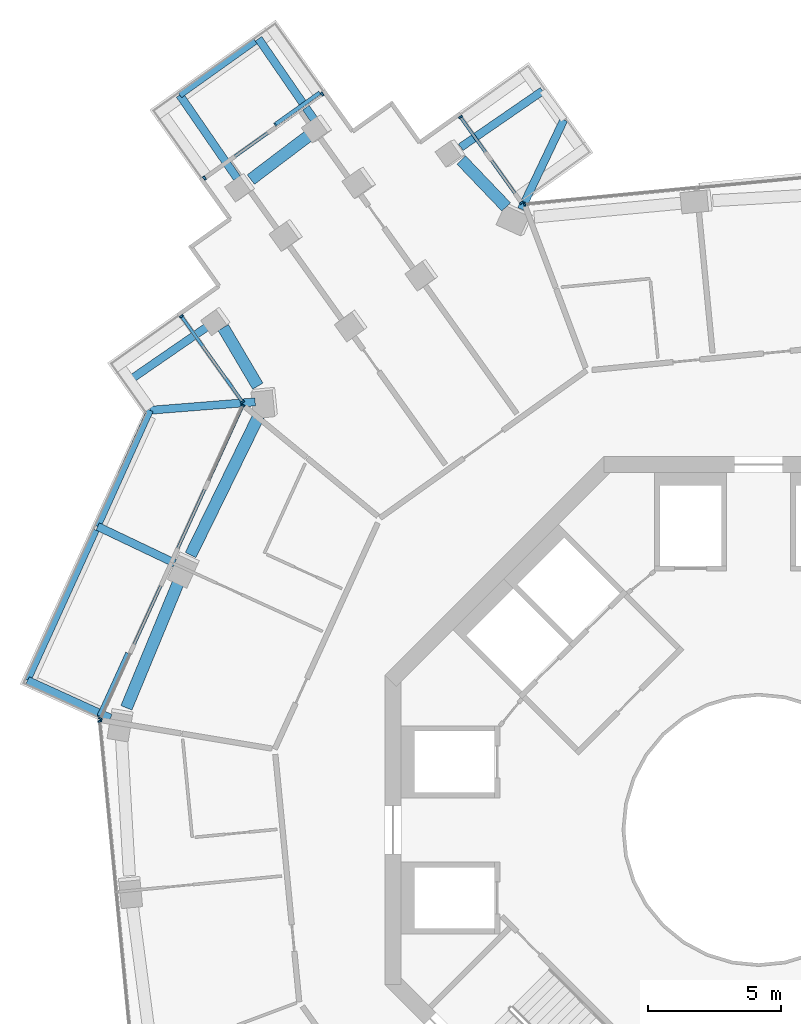
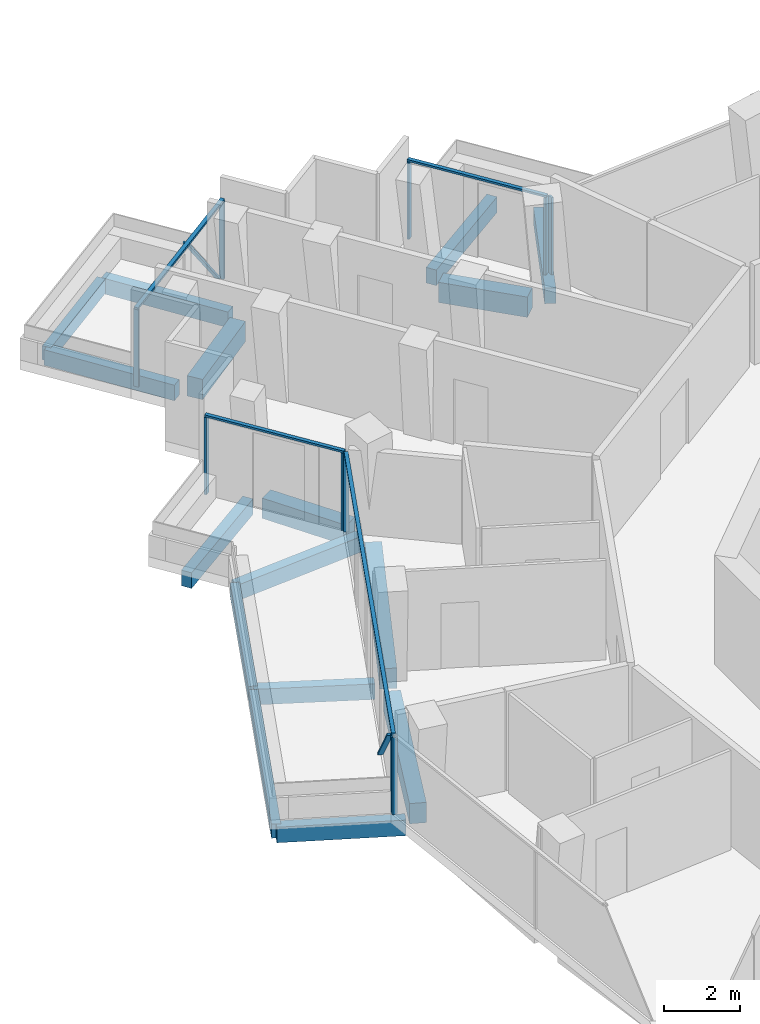
# One storey, part 6 of 22: 16 beams, 16 members, 6 elements without a shape of their own.
"""IFC4 building model written with IfcOpenShell, lengths in metres."""

from ifc_helpers import new_model, si_unit, direction, frame, origin, origin_2d, place, context, subcontext, project, spatial, rectangle, extrude, material, layer, layer_set, material_profile, profile_set, type_object, element, aggregate, save


model = new_model("IFC4")

# Units and contexts
model_context = context("Model", 3, precision=1e-05, world=origin(), true_north=direction((0.0, 1.0)))
body_context = subcontext(model_context, "Body", "Model", "MODEL_VIEW")
ifc_project = project(units=[si_unit("LENGTHUNIT", "METRE"), si_unit("AREAUNIT", "SQUARE_METRE"), si_unit("VOLUMEUNIT", "CUBIC_METRE"), si_unit("PLANEANGLEUNIT", "RADIAN"), si_unit("MASSUNIT", "GRAM", prefix="KILO")], contexts=[model_context])

# Site, building, storey
site_placement = place(None, origin())
site = spatial("IfcSite", under=ifc_project, at=site_placement, CompositionType="ELEMENT")
building_placement = place(site_placement, origin())
building = spatial("IfcBuilding", under=site, at=building_placement, Name="Verdalira Terraces Hotel", CompositionType="ELEMENT")
storey_placement = place(building_placement, frame((0.0, 0.0, 180.0)))
storey = spatial("IfcBuildingStorey", under=building, at=storey_placement, Name="L43", CompositionType="ELEMENT", Elevation=180.0)

# Beams
ifc_material_1 = material(Name="Concrete C40", Category="concrete")
ifc_material_profile_1 = material_profile(ifc_material_1, rectangle(XDim=0.300049, YDim=0.5, at=origin_2d()), Name="RC 300X500")
ifc_profile_set_1 = profile_set([ifc_material_profile_1], Name="Concrete C40")
beam_type_1 = type_object("IfcBeamType", Name="Balcony cantilever beam RC 300X500 C40", PredefinedType="BEAM", material=ifc_profile_set_1)
beam_1_placement = place(storey_placement, frame((-8.894775, 23.260498, -0.560059), z_axis=(0.429556324, 0.903040068, 0.0), x_axis=(-0.903040068, 0.429556324, 0.0)))
element("IfcBeam", 1, at=beam_1_placement, inside=storey, type_object=beam_type_1, Name="Balcony cantilever beam R00-1", PredefinedType="BEAM", context=body_context, shape_type="SweptSolid", body=[
    extrude(rectangle(XDim=0.300049, YDim=0.5, at=origin_2d()), origin(), (0.0, 0.0, 1.0), 3.718262),
])
beam_2_placement = place(storey_placement, frame((-11.164307, 25.585693, -0.560059), z_axis=(0.823498068, 0.567319074, 0.0), x_axis=(-0.567319074, 0.823498068, 0.0)))
element("IfcBeam", 2, at=beam_2_placement, inside=storey, type_object=beam_type_1, Name="Balcony cantilever beam R00-2", PredefinedType="BEAM", context=body_context, shape_type="SweptSolid", body=[
    extrude(rectangle(XDim=0.300049, YDim=0.5, at=origin_2d()), origin(), (0.0, 0.0, 1.0), 3.722412),
])
beam_3_placement = place(storey_placement, frame((-16.655518, 26.616943, -0.560059), z_axis=(-0.567268284, 0.823533056, 0.0), x_axis=(-0.823533056, -0.567268284, 0.0)))
element("IfcBeam", 3, at=beam_3_placement, inside=storey, type_object=beam_type_1, Name="Balcony cantilever beam R05-1", PredefinedType="BEAM", context=body_context, shape_type="SweptSolid", body=[
    extrude(rectangle(XDim=0.300049, YDim=0.5, at=origin_2d()), origin(), (0.0, 0.0, 1.0), 3.684082),
])
beam_4_placement = place(storey_placement, frame((-19.54834, 24.421387, -0.560059), z_axis=(-0.567255731, 0.823541703, 0.0), x_axis=(-0.823541703, -0.567255731, 0.0)))
element("IfcBeam", 4, at=beam_4_placement, inside=storey, type_object=beam_type_1, Name="Balcony cantilever beam R05-2", PredefinedType="BEAM", context=body_context, shape_type="SweptSolid", body=[
    extrude(rectangle(XDim=0.300049, YDim=0.5, at=origin_2d()), origin(), (0.0, 0.0, 1.0), 3.790527),
])
beam_5_placement = place(storey_placement, frame((-18.869629, 16.041748, -0.560059), z_axis=(-0.996831177, -0.079546238, 0.0), x_axis=(0.079546238, -0.996831177, 0.0)))
element("IfcBeam", 5, at=beam_5_placement, inside=storey, type_object=beam_type_1, Name="Balcony cantilever beam R10-1", PredefinedType="BEAM", context=body_context, shape_type="SweptSolid", body=[
    extrude(rectangle(XDim=0.300049, YDim=0.5, at=origin_2d()), origin(), (0.0, 0.0, 1.0), 3.949951),
])
beam_6_placement = place(storey_placement, frame((-21.882324, 9.997559, -0.560059), z_axis=(-0.903026819, 0.429584175, 0.0), x_axis=(-0.429584175, -0.903026819, 0.0)))
element("IfcBeam", 6, at=beam_6_placement, inside=storey, type_object=beam_type_1, Name="Balcony cantilever beam R10-2", PredefinedType="BEAM", context=body_context, shape_type="SweptSolid", body=[
    extrude(rectangle(XDim=0.300049, YDim=0.5, at=origin_2d()), origin(), (0.0, 0.0, 1.0), 3.200684),
])
beam_7_placement = place(storey_placement, frame((-24.294434, 4.19043, -0.560059), z_axis=(-0.910108957, 0.414369023, 0.0), x_axis=(-0.414369023, -0.910108957, 0.0)))
element("IfcBeam", 7, at=beam_7_placement, inside=storey, type_object=beam_type_1, Name="Balcony cantilever beam R10-3", PredefinedType="BEAM", context=body_context, shape_type="SweptSolid", body=[
    extrude(rectangle(XDim=0.300049, YDim=0.5, at=origin_2d()), origin(), (0.0, 0.0, 1.0), 3.411377),
])
beam_8_placement = place(storey_placement, frame((-20.56543, 18.927979, -0.560059), z_axis=(-0.823541313, -0.567256296, 0.0), x_axis=(0.567256296, -0.823541313, 0.0)))
element("IfcBeam", 8, at=beam_8_placement, inside=storey, type_object=beam_type_1, Name="Balcony cantilever beam R10-4", PredefinedType="BEAM", context=body_context, shape_type="SweptSolid", body=[
    extrude(rectangle(XDim=0.300049, YDim=0.5, at=origin_2d()), origin(), (0.0, 0.0, 1.0), 3.759033),
])
ifc_material_2 = material(Name="Concrete C40", Category="concrete")
ifc_material_profile_2 = material_profile(ifc_material_2, rectangle(XDim=0.25, YDim=0.449951, at=origin_2d()), Name="RC 250X450")
ifc_profile_set_2 = profile_set([ifc_material_profile_2], Name="Concrete C40")
beam_type_2 = type_object("IfcBeamType", Name="Balcony edge beam RC 250X450 C40", PredefinedType="BEAM", material=ifc_profile_set_2)
beam_9_placement = place(storey_placement, frame((-18.867432, 29.563965, -0.534912), z_axis=(-0.813894682, -0.581012433, 0.0), x_axis=(0.581012433, -0.813894682, 0.0)))
element("IfcBeam", 9, at=beam_9_placement, inside=storey, type_object=beam_type_2, Name="Balcony edge beam R05-1", PredefinedType="BEAM", context=body_context, shape_type="SweptSolid", body=[
    extrude(rectangle(XDim=0.25, YDim=0.449951, at=origin_2d()), origin(), (0.0, 0.0, 1.0), 3.478516),
])
beam_10_placement = place(storey_placement, frame((-22.807129, 15.727539, -0.534912), z_axis=(-0.411379984, -0.911463937, 0.0), x_axis=(0.911463937, -0.411379984, 0.0)))
element("IfcBeam", 10, at=beam_10_placement, inside=storey, type_object=beam_type_2, Name="Balcony edge beam R10-1", PredefinedType="BEAM", context=body_context, shape_type="SweptSolid", body=[
    extrude(rectangle(XDim=0.25, YDim=0.449951, at=origin_2d()), origin(), (0.0, 0.0, 1.0), 4.778076),
])
beam_11_placement = place(storey_placement, frame((-24.834961, 11.23584, -0.534912), z_axis=(-0.414376554, -0.910105528, 0.0), x_axis=(0.910105528, -0.414376554, 0.0)))
element("IfcBeam", 11, at=beam_11_placement, inside=storey, type_object=beam_type_2, Name="Balcony edge beam R10-2", PredefinedType="BEAM", context=body_context, shape_type="SweptSolid", body=[
    extrude(rectangle(XDim=0.25, YDim=0.449951, at=origin_2d()), origin(), (0.0, 0.0, 1.0), 6.188232),
])

# Curtain wall, members
ifc_material_3 = material(Name="Clear glass", Category="glass")
ifc_layer_1 = layer(ifc_material_3, 0.14990234375)
ifc_layer_set_1 = layer_set([ifc_layer_1], Name="CW1 curtain wall")
curtain_wall_type_1 = type_object("IfcCurtainWallType", Name="CW1 curtain wall", PredefinedType="NOTDEFINED", material=ifc_layer_set_1)
curtain_wall_1_placement = place(storey_placement, origin())
curtain_wall_1 = element("IfcCurtainWall", 12, at=curtain_wall_1_placement, inside=storey, type_object=curtain_wall_type_1, Name="CW1 curtain wall L43 edge 11", PredefinedType="NOTDEFINED")
ifc_material_4 = material(Name="Terracotta frame", Category="masonry")
ifc_material_profile_3 = material_profile(ifc_material_4, rectangle(XDim=0.060059, YDim=0.149902, at=origin_2d()), Name="MU 60x150")
ifc_profile_set_3 = profile_set([ifc_material_profile_3], Name="Terracotta frame")
member_type_1 = type_object("IfcMemberType", Name="CW1 mullion 60x150", PredefinedType="MULLION", material=ifc_profile_set_3)
member_1_placement = place(storey_placement, frame((-19.328369, 15.909424, 0.0), z_axis=(0.0, 0.0, 1.0), x_axis=(-0.414375581, -0.910105971, 0.0)))
member_1 = element("IfcMember", 13, at=member_1_placement, type_object=member_type_1, Name="CW1 mullion", PredefinedType="MULLION", context=body_context, shape_type="SweptSolid", body=[
    extrude(rectangle(XDim=0.060059, YDim=0.149902, at=origin_2d()), origin(), (0.0, 0.0, 1.0), 2.475098),
])
member_2_placement = place(storey_placement, frame((-24.673828, 4.169189, 0.0), z_axis=(0.0, 0.0, 1.0), x_axis=(-0.414375581, -0.910105971, 0.0)))
member_2 = element("IfcMember", 14, at=member_2_placement, type_object=member_type_1, Name="CW1 mullion", PredefinedType="MULLION", context=body_context, shape_type="SweptSolid", body=[
    extrude(rectangle(XDim=0.060059, YDim=0.149902, at=origin_2d()), origin(), (0.0, 0.0, 1.0), 2.475098),
])

# Curtain wall, member
curtain_wall_2_placement = place(storey_placement, origin())
curtain_wall_2 = element("IfcCurtainWall", 15, at=curtain_wall_2_placement, inside=storey, type_object=curtain_wall_type_1, Name="CW1 curtain wall L43 edge 12", PredefinedType="NOTDEFINED")
member_3_placement = place(storey_placement, frame((-24.689697, 4.07373, 0.0), z_axis=(0.0, 0.0, 1.0), x_axis=(0.096193205, -0.995362681, 0.0)))
member_3 = element("IfcMember", 16, at=member_3_placement, type_object=member_type_1, Name="CW1 mullion", PredefinedType="MULLION", context=body_context, shape_type="SweptSolid", body=[
    extrude(rectangle(XDim=0.060059, YDim=0.149902, at=origin_2d()), origin(), (0.0, 0.0, 1.0), 2.475098),
])
aggregate(curtain_wall_2, [member_3])

curtain_wall_3_placement = place(storey_placement, origin())
curtain_wall_3 = element("IfcCurtainWall", 17, at=curtain_wall_3_placement, inside=storey, type_object=curtain_wall_type_1, Name="CW1 curtain wall L43 edge 41", PredefinedType="NOTDEFINED")
member_4_placement = place(storey_placement, frame((-8.766357, 23.44873, 0.0), z_axis=(0.0, 0.0, 1.0), x_axis=(-0.995362681, -0.096193205, 0.0)))
member_4 = element("IfcMember", 18, at=member_4_placement, type_object=member_type_1, Name="CW1 mullion", PredefinedType="MULLION", context=body_context, shape_type="SweptSolid", body=[
    extrude(rectangle(XDim=0.060059, YDim=0.149902, at=origin_2d()), origin(), (0.0, 0.0, 1.0), 2.475098),
])
aggregate(curtain_wall_3, [member_4])

# Member
ifc_material_5 = material(Name="Terracotta frame", Category="masonry")
ifc_material_profile_4 = material_profile(ifc_material_5, rectangle(XDim=0.110107, YDim=0.064941, at=origin_2d()), Name="TR 65x110")
ifc_profile_set_4 = profile_set([ifc_material_profile_4], Name="Terracotta frame")
member_type_2 = type_object("IfcMemberType", Name="CW1 transom 65x110", PredefinedType="USERDEFINED", material=ifc_profile_set_4)
member_5_placement = place(storey_placement, frame((-19.315918, 15.936768, 2.507568), z_axis=(-0.414380518, -0.910103723, 0.0), x_axis=(0.910103723, -0.414380518, 0.0)))
member_5 = element("IfcMember", 19, at=member_5_placement, type_object=member_type_2, Name="CW1 transom", ObjectType="TRANSOM", PredefinedType="USERDEFINED", context=body_context, shape_type="SweptSolid", body=[
    extrude(rectangle(XDim=0.110107, YDim=0.064941, at=origin_2d()), origin(), (0.0, 0.0, 1.0), 12.959961),
])

# Curtain wall, members
ifc_material_6 = material(Name="Clear glass", Category="glass")
ifc_layer_2 = layer(ifc_material_6, 0.14990234375)
ifc_layer_set_2 = layer_set([ifc_layer_2], Name="CW2 curtain wall")
curtain_wall_type_2 = type_object("IfcCurtainWallType", Name="CW2 curtain wall", PredefinedType="NOTDEFINED", material=ifc_layer_set_2)
curtain_wall_4_placement = place(storey_placement, origin())
curtain_wall_4 = element("IfcCurtainWall", 20, at=curtain_wall_4_placement, inside=storey, type_object=curtain_wall_type_2, Name="CW2 curtain wall L43 edge 0", PredefinedType="NOTDEFINED")
ifc_material_7 = material(Name="Terracotta frame", Category="masonry")
ifc_material_profile_5 = material_profile(ifc_material_7, rectangle(XDim=0.070068, YDim=0.149902, at=origin_2d()), Name="MU 70x150")
ifc_profile_set_5 = profile_set([ifc_material_profile_5], Name="Terracotta frame")
member_type_3 = type_object("IfcMemberType", Name="CW2 mullion 70x150", PredefinedType="MULLION", material=ifc_profile_set_5)
member_6_placement = place(storey_placement, frame((-8.884766, 23.505615, 0.0), z_axis=(0.0, 0.0, 1.0), x_axis=(-0.5809871, 0.813912765, 0.0)))
member_6 = element("IfcMember", 21, at=member_6_placement, type_object=member_type_3, Name="CW2 mullion", PredefinedType="MULLION", context=body_context, shape_type="SweptSolid", body=[
    extrude(rectangle(XDim=0.070068, YDim=0.149902, at=origin_2d()), origin(), (0.0, 0.0, 1.0), 2.475098),
])
member_7_placement = place(storey_placement, frame((-11.177246, 26.717041, 0.0), z_axis=(0.0, 0.0, 1.0), x_axis=(-0.5809871, 0.813912765, 0.0)))
member_7 = element("IfcMember", 22, at=member_7_placement, type_object=member_type_3, Name="CW2 mullion", PredefinedType="MULLION", context=body_context, shape_type="SweptSolid", body=[
    extrude(rectangle(XDim=0.070068, YDim=0.149902, at=origin_2d()), origin(), (0.0, 0.0, 1.0), 2.475098),
])

curtain_wall_5_placement = place(storey_placement, origin())
curtain_wall_5 = element("IfcCurtainWall", 23, at=curtain_wall_5_placement, inside=storey, type_object=curtain_wall_type_2, Name="CW2 curtain wall L43 edge 10", PredefinedType="NOTDEFINED")
member_8_placement = place(storey_placement, frame((-21.635986, 19.251465, 0.0), z_axis=(0.0, 0.0, 1.0), x_axis=(0.5809871, -0.813912765, 0.0)))
member_8 = element("IfcMember", 24, at=member_8_placement, type_object=member_type_3, Name="CW2 mullion", PredefinedType="MULLION", context=body_context, shape_type="SweptSolid", body=[
    extrude(rectangle(XDim=0.070068, YDim=0.149902, at=origin_2d()), origin(), (0.0, 0.0, 1.0), 2.475098),
])
member_9_placement = place(storey_placement, frame((-19.343506, 16.039795, 0.0), z_axis=(0.0, 0.0, 1.0), x_axis=(0.5809871, -0.813912765, 0.0)))
member_9 = element("IfcMember", 25, at=member_9_placement, type_object=member_type_3, Name="CW2 mullion", PredefinedType="MULLION", context=body_context, shape_type="SweptSolid", body=[
    extrude(rectangle(XDim=0.070068, YDim=0.149902, at=origin_2d()), origin(), (0.0, 0.0, 1.0), 2.475098),
])

# Member
ifc_material_8 = material(Name="Terracotta frame", Category="masonry")
ifc_material_profile_6 = material_profile(ifc_material_8, rectangle(XDim=0.11499, YDim=0.064941, at=origin_2d()), Name="TR 65x115")
ifc_profile_set_6 = profile_set([ifc_material_profile_6], Name="Terracotta frame")
member_type_4 = type_object("IfcMemberType", Name="CW2 transom 65x115", PredefinedType="USERDEFINED", material=ifc_profile_set_6)
member_10_placement = place(storey_placement, frame((-8.864502, 23.477051, 2.507568), z_axis=(-0.580962116, 0.813930599, 0.0), x_axis=(-0.813930599, -0.580962116, 0.0)))
member_10 = element("IfcMember", 26, at=member_10_placement, type_object=member_type_4, Name="CW2 transom", ObjectType="TRANSOM", PredefinedType="USERDEFINED", context=body_context, shape_type="SweptSolid", body=[
    extrude(rectangle(XDim=0.11499, YDim=0.064941, at=origin_2d()), origin(), (0.0, 0.0, 1.0), 4.015869),
])

aggregate(curtain_wall_4, [member_6, member_7, member_10])

member_11_placement = place(storey_placement, frame((-21.65625, 19.279785, 2.507568), z_axis=(0.580962116, -0.813930599, 0.0), x_axis=(0.813930599, 0.580962116, 0.0)))
member_11 = element("IfcMember", 27, at=member_11_placement, type_object=member_type_4, Name="CW2 transom", ObjectType="TRANSOM", PredefinedType="USERDEFINED", context=body_context, shape_type="SweptSolid", body=[
    extrude(rectangle(XDim=0.11499, YDim=0.064941, at=origin_2d()), origin(), (0.0, 0.0, 1.0), 4.015869),
])

aggregate(curtain_wall_5, [member_8, member_9, member_11])

# Curtain wall, members
ifc_material_9 = material(Name="Clear glass", Category="glass")
ifc_layer_3 = layer(ifc_material_9, 0.14990234375)
ifc_layer_set_3 = layer_set([ifc_layer_3], Name="CW3 curtain wall")
curtain_wall_type_3 = type_object("IfcCurtainWallType", Name="CW3 curtain wall", PredefinedType="NOTDEFINED", material=ifc_layer_set_3)
curtain_wall_6_placement = place(storey_placement, origin())
curtain_wall_6 = element("IfcCurtainWall", 28, at=curtain_wall_6_placement, inside=storey, type_object=curtain_wall_type_3, Name="CW3 curtain wall L43 edge 5", PredefinedType="NOTDEFINED")
ifc_material_10 = material(Name="Terracotta frame", Category="masonry")
ifc_material_profile_7 = material_profile(ifc_material_10, rectangle(XDim=0.080078, YDim=0.149902, at=origin_2d()), Name="MU 80x150")
ifc_profile_set_7 = profile_set([ifc_material_profile_7], Name="Terracotta frame")
member_type_5 = type_object("IfcMemberType", Name="CW3 mullion 80x150", PredefinedType="MULLION", material=ifc_profile_set_7)
member_12_placement = place(storey_placement, frame((-16.356445, 27.578369, 0.0), z_axis=(0.0, 0.0, 1.0), x_axis=(-0.813912765, -0.5809871, 0.0)))
member_12 = element("IfcMember", 29, at=member_12_placement, type_object=member_type_5, Name="CW3 mullion", PredefinedType="MULLION", context=body_context, shape_type="SweptSolid", body=[
    extrude(rectangle(XDim=0.080078, YDim=0.149902, at=origin_2d()), origin(), (0.0, 0.0, 1.0), 2.475098),
])
member_13_placement = place(storey_placement, frame((-20.767822, 24.429443, 0.0), z_axis=(0.0, 0.0, 1.0), x_axis=(-0.813912765, -0.5809871, 0.0)))
member_13 = element("IfcMember", 30, at=member_13_placement, type_object=member_type_5, Name="CW3 mullion", PredefinedType="MULLION", context=body_context, shape_type="SweptSolid", body=[
    extrude(rectangle(XDim=0.080078, YDim=0.149902, at=origin_2d()), origin(), (0.0, 0.0, 1.0), 2.475098),
])
ifc_material_11 = material(Name="Terracotta frame", Category="masonry")
ifc_material_profile_8 = material_profile(ifc_material_11, rectangle(XDim=0.120117, YDim=0.064941, at=origin_2d()), Name="TR 65x120")
ifc_profile_set_8 = profile_set([ifc_material_profile_8], Name="Terracotta frame")
member_type_6 = type_object("IfcMemberType", Name="CW3 transom 65x120", PredefinedType="USERDEFINED", material=ifc_profile_set_8)
member_14_placement = place(storey_placement, frame((-16.32373, 27.601562, 2.507568), z_axis=(-0.813904391, -0.580998832, 0.0), x_axis=(0.580998832, -0.813904391, 0.0)))
member_14 = element("IfcMember", 31, at=member_14_placement, type_object=member_type_6, Name="CW3 transom", ObjectType="TRANSOM", PredefinedType="USERDEFINED", context=body_context, shape_type="SweptSolid", body=[
    extrude(rectangle(XDim=0.120117, YDim=0.064941, at=origin_2d()), origin(), (0.0, 0.0, 1.0), 5.5),
])
ifc_material_12 = material(Name="Terracotta frame", Category="masonry")
ifc_material_profile_9 = material_profile(ifc_material_12, rectangle(XDim=0.149902, YDim=0.060059, at=origin_2d()), Name="GB 60x150")
ifc_profile_set_9 = profile_set([ifc_material_profile_9], Name="Terracotta frame")
member_type_7 = type_object("IfcMemberType", Name="Diagonal glazing bar 60x150", PredefinedType="USERDEFINED", material=ifc_profile_set_9)
member_15_placement = place(storey_placement, frame((-16.462646, 27.616699, 0.028809), z_axis=(-0.523670784, -0.373829653, 0.765519627), x_axis=(0.581010827, -0.813895828, 0.0)))
member_15 = element("IfcMember", 32, at=member_15_placement, type_object=member_type_7, Name="Diagonal glazing bar", ObjectType="GLAZING BAR", PredefinedType="USERDEFINED", context=body_context, shape_type="SweptSolid", body=[
    extrude(rectangle(XDim=0.149902, YDim=0.060059, at=origin_2d()), origin(), (0.0, 0.0, 1.0), 3.157715),
])
aggregate(curtain_wall_6, [member_12, member_13, member_14, member_15])

# Member
member_16_placement = place(storey_placement, frame((-23.65918, 6.612061, 0.023193), z_axis=(-0.302214945, -0.663786171, 0.684144756), x_axis=(0.910111172, -0.414364158, 0.0)))
member_16 = element("IfcMember", 33, at=member_16_placement, type_object=member_type_7, Name="Diagonal glazing bar", ObjectType="GLAZING BAR", PredefinedType="USERDEFINED", context=body_context, shape_type="SweptSolid", body=[
    extrude(rectangle(XDim=0.149902, YDim=0.060059, at=origin_2d()), origin(), (0.0, 0.0, 1.0), 3.549561),
])

aggregate(curtain_wall_1, [member_1, member_2, member_5, member_16])

# Beams
ifc_material_13 = material(Name="Concrete C50", Category="concrete")
ifc_material_profile_10 = material_profile(ifc_material_13, rectangle(XDim=0.449951, YDim=0.649902, at=origin_2d()), Name="RC 450X650")
ifc_profile_set_10 = profile_set([ifc_material_profile_10], Name="Concrete C50")
beam_type_3 = type_object("IfcBeamType", Name="Spandrel beam RC 450X650 C50", PredefinedType="SPANDREL", material=ifc_profile_set_10)
beam_12_placement = place(storey_placement, frame((-9.462891, 23.349365, -0.63501), z_axis=(-0.691445716, 0.72242842, 0.0), x_axis=(-0.72242842, -0.691445716, 0.0)))
element("IfcBeam", 34, at=beam_12_placement, inside=storey, type_object=beam_type_3, Name="Spandrel beam B01", PredefinedType="SPANDREL", context=body_context, shape_type="SweptSolid", body=[
    extrude(rectangle(XDim=0.449951, YDim=0.649902, at=origin_2d()), origin(), (0.0, 0.0, 1.0), 2.434814),
])
beam_13_placement = place(storey_placement, frame((-16.718506, 26.124512, -0.63501), z_axis=(-0.797203846, -0.603710218, 0.0), x_axis=(0.603710218, -0.797203846, 0.0)))
element("IfcBeam", 35, at=beam_13_placement, inside=storey, type_object=beam_type_3, Name="Spandrel beam B02", PredefinedType="SPANDREL", context=body_context, shape_type="SweptSolid", body=[
    extrude(rectangle(XDim=0.449951, YDim=0.649902, at=origin_2d()), origin(), (0.0, 0.0, 1.0), 2.900879),
])
beam_14_placement = place(storey_placement, frame((-20.06543, 18.825195, -0.63501), z_axis=(0.508280388, -0.861191644, 0.0), x_axis=(0.861191644, 0.508280388, 0.0)))
element("IfcBeam", 36, at=beam_14_placement, inside=storey, type_object=beam_type_3, Name="Spandrel beam B03", PredefinedType="SPANDREL", context=body_context, shape_type="SweptSolid", body=[
    extrude(rectangle(XDim=0.449951, YDim=0.649902, at=origin_2d()), origin(), (0.0, 0.0, 1.0), 2.547119),
])
beam_15_placement = place(storey_placement, frame((-18.731934, 15.523926, -0.63501), z_axis=(-0.439740269, -0.898124989, 0.0), x_axis=(0.898124989, -0.439740269, 0.0)))
element("IfcBeam", 37, at=beam_15_placement, inside=storey, type_object=beam_type_3, Name="Spandrel beam B04", PredefinedType="SPANDREL", context=body_context, shape_type="SweptSolid", body=[
    extrude(rectangle(XDim=0.449951, YDim=0.649902, at=origin_2d()), origin(), (0.0, 0.0, 1.0), 5.813965),
])
beam_16_placement = place(storey_placement, frame((-21.709229, 9.368896, -0.63501), z_axis=(-0.382767288, -0.923844794, 0.0), x_axis=(0.923844794, -0.382767288, 0.0)))
element("IfcBeam", 38, at=beam_16_placement, inside=storey, type_object=beam_type_3, Name="Spandrel beam B05", PredefinedType="SPANDREL", context=body_context, shape_type="SweptSolid", body=[
    extrude(rectangle(XDim=0.449951, YDim=0.649902, at=origin_2d()), origin(), (0.0, 0.0, 1.0), 5.189453),
])

save(model, "model.ifc")
